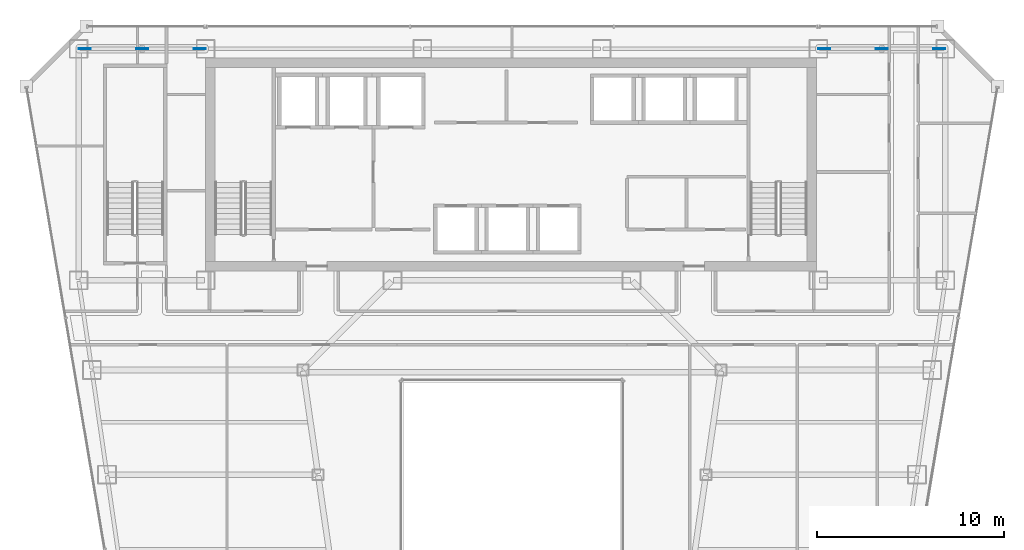
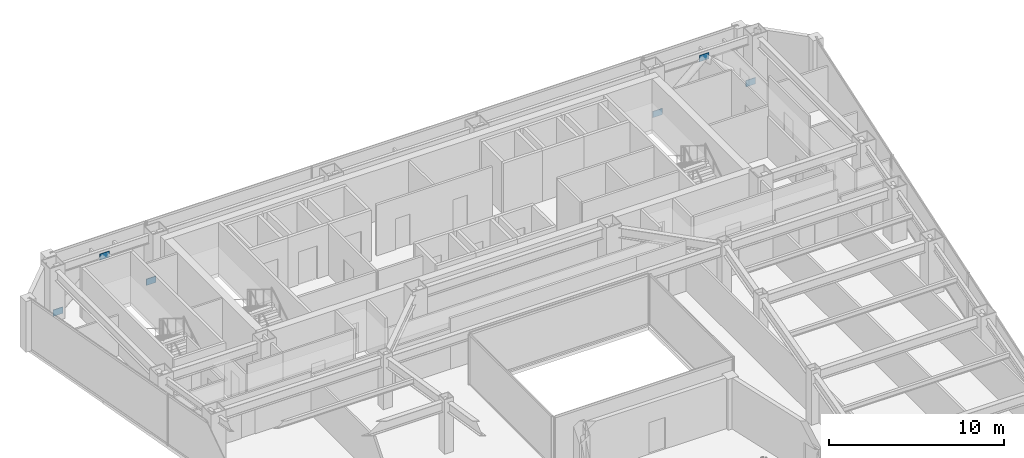
# One storey, part 23 of 31: 6 plates.
"""IFC4 building model written with IfcOpenShell, lengths in metres."""

from ifc_helpers import new_model, si_unit, direction, frame, origin, origin_2d, place, context, subcontext, project, spatial, rectangle, extrude, material, layer, layer_set, type_object, element, save


model = new_model("IFC4")

# Units and contexts
model_context = context("Model", 3, precision=1e-05, world=origin(), true_north=direction((0.0, 1.0)))
body_context = subcontext(model_context, "Body", "Model", "MODEL_VIEW")
ifc_project = project(units=[si_unit("LENGTHUNIT", "METRE"), si_unit("AREAUNIT", "SQUARE_METRE"), si_unit("VOLUMEUNIT", "CUBIC_METRE"), si_unit("PLANEANGLEUNIT", "RADIAN"), si_unit("MASSUNIT", "GRAM", prefix="KILO")], contexts=[model_context])

# Site, building, storey
site_placement = place(None, origin())
site = spatial("IfcSite", under=ifc_project, at=site_placement, CompositionType="ELEMENT")
building_placement = place(site_placement, origin())
building = spatial("IfcBuilding", under=site, at=building_placement, Name="Saevonmaru Cultural Tower", CompositionType="ELEMENT")
storey_placement = place(building_placement, frame((0.0, 0.0, 167.60009765625)))
storey = spatial("IfcBuildingStorey", under=building, at=storey_placement, Name="L37", CompositionType="ELEMENT", Elevation=167.60009765625)

# Plates
ifc_material = material(Name="Steel HSA600 (600 MPa)", Category="steel")
ifc_layer = layer(ifc_material, 0.0400390625, Name="Steel HSA600 (600 MPa)")
ifc_layer_set = layer_set([ifc_layer], Name="Steel HSA600 (600 MPa)")
plate_type = type_object("IfcPlateType", Name="PL-GUSSET-EXT", PredefinedType="USERDEFINED", material=ifc_layer_set)
for number, where, z_axis, x_axis, name in (
    (1, (10.199951171875, 54.800048828125, 2.849853515625), (0.0, 0.0, 1.0), (1.0, 0.0, 0.0), "L37 Perimeter Tube Gusset Plate"),
    (2, (7.1201171875, 54.800048828125, 0.02001953125), (0.0, 0.0, 1.0), (1.0, 0.0, 0.0), "L37 Perimeter Tube Gusset Plate"),
    (3, (13.280029296875, 54.800048828125, 0.02001953125), (0.0, 0.0, 1.0), (1.0, 0.0, 0.0), "L37 Perimeter Tube Gusset Plate"),
    (4, (49.800048828125, 54.800048828125, 2.849853515625), (0.0, 0.0, 1.0), (1.0, 0.0, 0.0), "L37 Perimeter Tube Gusset Plate"),
    (5, (46.719970703125, 54.800048828125, 0.02001953125), (0.0, 0.0, 1.0), (1.0, 0.0, 0.0), "L37 Perimeter Tube Gusset Plate"),
    (6, (52.8798828125, 54.800048828125, 0.02001953125), (0.0, 0.0, 1.0), (1.0, 0.0, 0.0), "L37 Perimeter Tube Gusset Plate"),
):
    element("IfcPlate", number, at=place(storey_placement, frame(where, z_axis=z_axis, x_axis=x_axis)), inside=storey, type_object=plate_type, Name=name, ObjectType="GUSSET_PLATE", PredefinedType="USERDEFINED", context=body_context, shape_type="SweptSolid", body=[
        extrude(rectangle(XDim=0.639892578125, YDim=0.0400390625, at=origin_2d()), origin(), (0.0, 0.0, 1.0), 0.43994140625),
    ])

save(model, "model.ifc")
